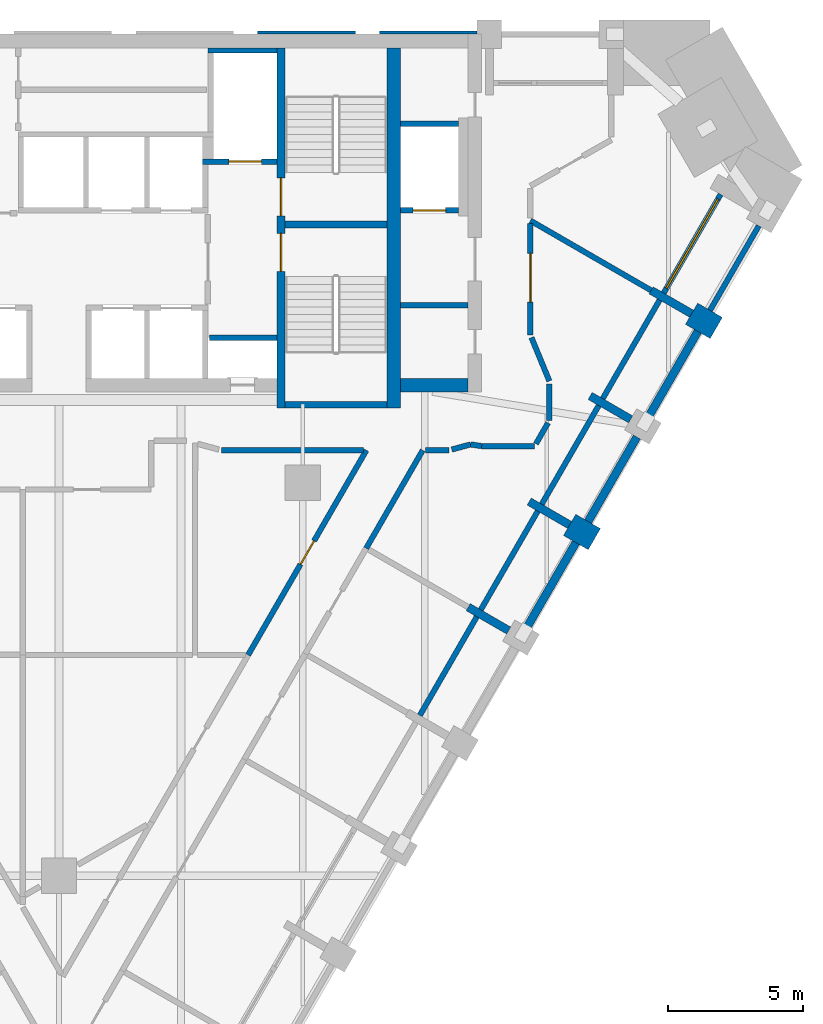
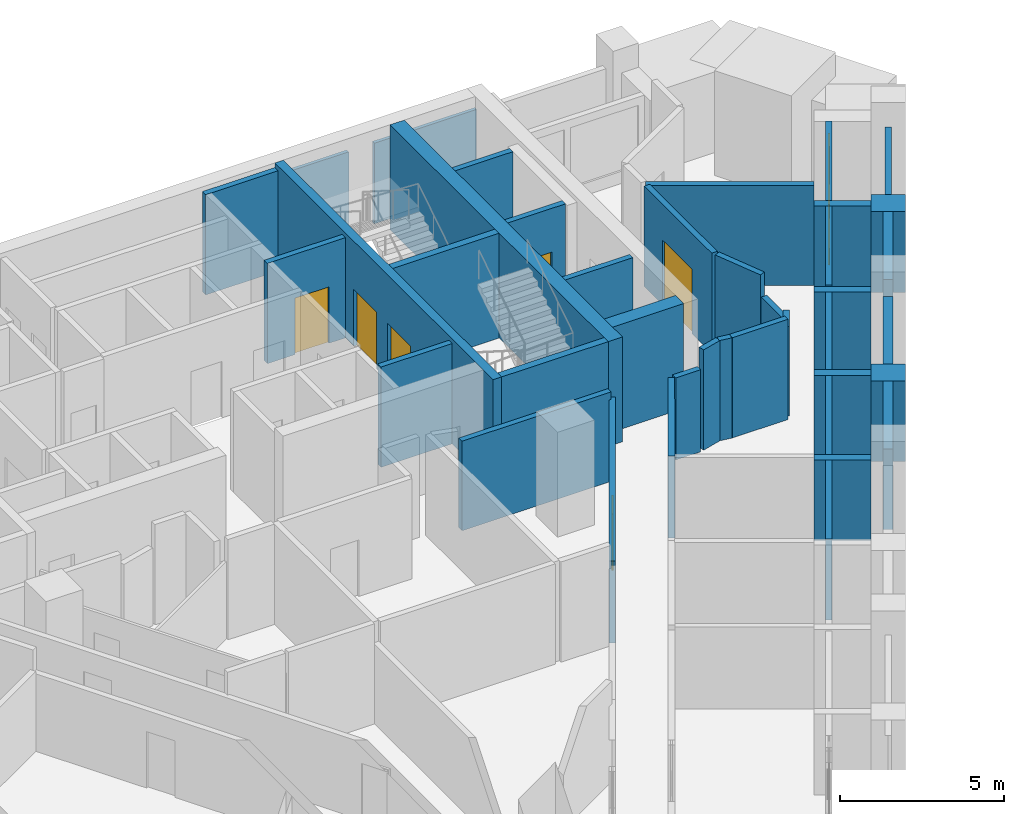
# One storey, part 7 of 10: 40 walls, 6 doors, 1 window, 7 openings.
"""IFC4 building model written with IfcOpenShell, lengths in metres."""

from ifc_helpers import new_model, si_unit, direction, frame, frame_2d, origin, place, context, subcontext, project, spatial, polyline, rectangle, outline, extrude, material, layer, layer_set, type_object, element, fill, save


model = new_model("IFC4")

# Units and contexts
model_context = context("Model", 3, precision=1e-05, world=origin(), true_north=direction((0.0, 1.0)))
body_context = subcontext(model_context, "Body", "Model", "MODEL_VIEW")
ifc_project = project(units=[si_unit("LENGTHUNIT", "METRE"), si_unit("AREAUNIT", "SQUARE_METRE"), si_unit("VOLUMEUNIT", "CUBIC_METRE"), si_unit("PLANEANGLEUNIT", "RADIAN"), si_unit("MASSUNIT", "GRAM", prefix="KILO")], contexts=[model_context])

# Site, building, storey
site_placement = place(None, origin())
site = spatial("IfcSite", under=ifc_project, at=site_placement, CompositionType="ELEMENT")
building_placement = place(site_placement, origin())
building = spatial("IfcBuilding", under=site, at=building_placement, Name="Calabash Gate Tower", CompositionType="ELEMENT")
storey_placement = place(building_placement, frame((0.0, 0.0, 164.10009765625)))
storey = spatial("IfcBuildingStorey", under=building, at=storey_placement, Name="L38", CompositionType="ELEMENT", Elevation=164.10009765625)

# Walls
ifc_material_1 = material(Name="Terracotta brick masonry, exposed face", Category="masonry")
ifc_layer_1 = layer(ifc_material_1, 1.050048828125)
ifc_layer_set_1 = layer_set([ifc_layer_1], Name="Brick end wall 1050")
wall_type_1 = type_object("IfcWallType", Name="Brick end wall 1050", PredefinedType="SOLIDWALL", material=ifc_layer_set_1)
for number, where, z_axis, x_axis, name in (
    (1, (19.7587890625, 0.417724609375, 0.0), (0.0, 0.0, 1.0), (-0.86592997719, 0.500165247297, 0.0), "Brick pier S10 SE4.5"),
    (2, (24.2587890625, 8.2119140625, 0.0), (0.0, 0.0, 1.0), (-0.86592997719, 0.500165247297, 0.0), "Brick pier S10 SE4.7"),
):
    element("IfcWall", number, at=place(storey_placement, frame(where, z_axis=z_axis, x_axis=x_axis)), inside=storey, type_object=wall_type_1, Name=name, PredefinedType="SOLIDWALL", context=body_context, shape_type="SweptSolid", body=[
        extrude(rectangle(XDim=1.050048828125, YDim=0.89990234375, at=frame_2d((0.52490234375, 0.0))), origin(), (0.0, 0.0, 1.0), 3.0),
    ])
ifc_material_2 = material(Name="Terracotta brick masonry, exposed face", Category="masonry")
ifc_layer_2 = layer(ifc_material_2, 0.300048828125)
ifc_layer_set_2 = layer_set([ifc_layer_2], Name="Brick infill panel wall 300")
wall_type_2 = type_object("IfcWallType", Name="Brick infill panel wall 300", PredefinedType="SOLIDWALL", material=ifc_layer_set_2)
wall_1_placement = place(storey_placement, frame((17.279296875, -2.8271484375, 0.0), z_axis=(0.0, 0.0, 1.0), x_axis=(0.500012057535, 0.866018442252, 0.0)))
element("IfcWall", 3, at=wall_1_placement, inside=storey, type_object=wall_type_2, Name="Brick panel S10 SE4.5", PredefinedType="SOLIDWALL", context=body_context, shape_type="SweptSolid", body=[
    extrude(rectangle(XDim=3.60009765625, YDim=0.300048828125, at=frame_2d((1.800048828125, 0.0))), origin(), (0.0, 0.0, 1.0), 3.0),
])
wall_2_placement = place(storey_placement, frame((19.529296875, 1.070068359375, 0.0), z_axis=(0.0, 0.0, 1.0), x_axis=(0.50001992892, 0.866013897511, 0.0)))
element("IfcWall", 4, at=wall_2_placement, inside=storey, type_object=wall_type_2, Name="Brick panel S10 SE4.6", PredefinedType="SOLIDWALL", context=body_context, shape_type="SweptSolid", body=[
    extrude(rectangle(XDim=3.599365234375, YDim=0.300048828125, at=frame_2d((1.7998046875, 0.0))), origin(), (0.0, 0.0, 1.0), 3.0),
])
wall_3_placement = place(storey_placement, frame((21.779296875, 4.967041015625, 0.0), z_axis=(0.0, 0.0, 1.0), x_axis=(0.500012057535, 0.866018442252, 0.0)))
element("IfcWall", 5, at=wall_3_placement, inside=storey, type_object=wall_type_2, Name="Brick panel S10 SE4.7", PredefinedType="SOLIDWALL", context=body_context, shape_type="SweptSolid", body=[
    extrude(rectangle(XDim=3.60009765625, YDim=0.300048828125, at=frame_2d((1.800048828125, 0.0))), origin(), (0.0, 0.0, 1.0), 3.0),
])
ifc_material_3 = material(Name="Terracotta brick masonry, exposed face", Category="masonry")
ifc_layer_3 = layer(ifc_material_3, 0.300048828125)
ifc_layer_set_3 = layer_set([ifc_layer_3], Name="Brick loggia cheek wall 300")
wall_type_3 = type_object("IfcWallType", Name="Brick loggia cheek wall 300", PredefinedType="SOLIDWALL", material=ifc_layer_set_3)
for number, where, z_axis, x_axis, name in (
    (6, (16.599365234375, -2.954345703125, 0.0), (0.0, 0.0, 1.0), (-0.86597814115, 0.500081852351, 0.0), "Loggia cheek S10 SE4.4"),
    (7, (18.849609375, 0.94287109375, 0.0), (0.0, 0.0, 1.0), (-0.866074815912, 0.499914405916, 0.0), "Loggia cheek S10 SE4.5"),
):
    element("IfcWall", number, at=place(storey_placement, frame(where, z_axis=z_axis, x_axis=x_axis)), inside=storey, type_object=wall_type_3, Name=name, PredefinedType="SOLIDWALL", context=body_context, shape_type="SweptSolid", body=[
        extrude(rectangle(XDim=1.724853515625, YDim=0.300048828125, at=frame_2d((0.8623046875, 0.0))), origin(), (0.0, 0.0, 1.0), 3.0),
    ])
wall_4_placement = place(storey_placement, frame((21.099609375, 4.83984375, 0.0), z_axis=(0.0, 0.0, 1.0), x_axis=(-0.866013532718, 0.500020560727, 0.0)))
element("IfcWall", 8, at=wall_4_placement, inside=storey, type_object=wall_type_3, Name="Loggia cheek S10 SE4.6", PredefinedType="SOLIDWALL", context=body_context, shape_type="SweptSolid", body=[
    extrude(rectangle(XDim=1.72509765625, YDim=0.300048828125, at=frame_2d((0.862548828125, 0.0))), origin(), (0.0, 0.0, 1.0), 2.949951171875),
])
wall_5_placement = place(storey_placement, frame((23.349609375, 8.737060546875, 0.0), z_axis=(0.0, 0.0, 1.0), x_axis=(-0.866013532718, 0.500020560727, 0.0)))
element("IfcWall", 9, at=wall_5_placement, inside=storey, type_object=wall_type_3, Name="Loggia cheek S10 SE4.7", PredefinedType="SOLIDWALL", context=body_context, shape_type="SweptSolid", body=[
    extrude(rectangle(XDim=1.72509765625, YDim=0.300048828125, at=frame_2d((0.862548828125, 0.0))), origin(), (0.0, 0.0, 1.0), 3.0),
])
ifc_material_4 = material(Name="Gypsum board on steel studs, mineral wool", Category="steel")
ifc_layer_4 = layer(ifc_material_4, 0.199951171875)
ifc_layer_set_4 = layer_set([ifc_layer_4], Name="Core partition 200 gypsum board")
wall_type_4 = type_object("IfcWallType", Name="Core partition 200 gypsum board", PredefinedType="PARTITIONING", material=ifc_layer_set_4)
wall_6_placement = place(storey_placement, frame((12.60009765625, 9.052490234375, 0.0), z_axis=(0.0, 0.0, 1.0), x_axis=(1.0, 0.0, 0.0)))
element("IfcWall", 10, at=wall_6_placement, inside=storey, type_object=wall_type_4, Name="Core partition", PredefinedType="PARTITIONING", context=body_context, shape_type="SweptSolid", body=[
    extrude(rectangle(XDim=2.5, YDim=0.199951171875, at=frame_2d((1.25, 0.0))), origin(), (0.0, 0.0, 1.0), 3.72998046875),
])
ifc_material_5 = material(Name="Concrete C70/85", Category="concrete")
ifc_layer_5 = layer(ifc_material_5, 0.25)
ifc_layer_set_5 = layer_set([ifc_layer_5], Name="Core wall 250 Concrete C70/85")
wall_type_5 = type_object("IfcWallType", Name="Core wall 250 Concrete C70/85", PredefinedType="SHEAR", material=ifc_layer_set_5)
for number, where, z_axis, x_axis, name in (
    (11, (8.35009765625, 12.027587890625, 0.0), (0.0, 0.0, 1.0), (1.0, 0.0, 0.0), "Core wall Z3-MIDE L38"),
    (12, (8.35009765625, 5.377685546875, 0.0), (0.0, 0.0, 1.0), (1.0, 0.0, 0.0), "Core wall Z3-SSE L38"),
):
    element("IfcWall", number, at=place(storey_placement, frame(where, z_axis=z_axis, x_axis=x_axis)), inside=storey, type_object=wall_type_5, Name=name, PredefinedType="SHEAR", context=body_context, shape_type="SweptSolid", body=[
        extrude(rectangle(XDim=3.75, YDim=0.25, at=frame_2d((1.875, 0.0))), origin(), (0.0, 0.0, 1.0), 3.89990234375),
    ])

# Wall, openings, doors
ifc_material_6 = material(Name="Concrete C70/85", Category="concrete")
ifc_layer_6 = layer(ifc_material_6, 0.300048828125)
ifc_layer_set_6 = layer_set([ifc_layer_6], Name="Core wall 300 Concrete C70/85")
wall_type_6 = type_object("IfcWallType", Name="Core wall 300 Concrete C70/85", PredefinedType="SHEAR", material=ifc_layer_set_6)
wall_7_placement = place(storey_placement, frame((8.199951171875, 5.252685546875, 0.0), z_axis=(0.0, 0.0, 1.0), x_axis=(0.0, 1.0, 0.0)))
wall_7 = element("IfcWall", 13, at=wall_7_placement, inside=storey, type_object=wall_type_6, Name="Core wall Z3-PARTE L38", PredefinedType="SHEAR", context=body_context, shape_type="SweptSolid", body=[
    extrude(rectangle(XDim=13.2998046875, YDim=0.300048828125, at=frame_2d((6.64990234375, 0.0))), origin(), (0.0, 0.0, 1.0), 3.89990234375),
])
opening_1_placement = place(wall_7_placement, frame((7.10009765625, 0.0, 0.0)))
opening_1 = element("IfcOpeningElement", 14, at=opening_1_placement, cuts=wall_7, Name="Opening O2-017", PredefinedType="OPENING", context=body_context, shape_type="SweptSolid", body=[
    extrude(rectangle(XDim=1.39990234375, YDim=2.10009765625, at=frame_2d((0.699951171875, 1.050048828125))), frame((0.0, 0.159912109375, 0.0), z_axis=(0.0, -1.0, 0.0), x_axis=(1.0, 0.0, 0.0)), (0.0, 0.0, 1.0), 0.320068359375),
])
opening_2_placement = place(wall_7_placement, frame((5.050048828125, 0.0, 0.0)))
opening_2 = element("IfcOpeningElement", 15, at=opening_2_placement, cuts=wall_7, Name="Opening O2-018", PredefinedType="OPENING", context=body_context, shape_type="SweptSolid", body=[
    extrude(rectangle(XDim=1.39990234375, YDim=2.10009765625, at=frame_2d((0.699951171875, 1.050048828125))), frame((0.0, 0.159912109375, 0.0), z_axis=(0.0, -1.0, 0.0), x_axis=(1.0, 0.0, 0.0)), (0.0, 0.0, 1.0), 0.320068359375),
])
ifc_material_7 = material(Name="Steel fire door set with fire-resisting glazing", Category="steel")
door_type_1 = type_object("IfcDoorType", Name="Fire door D05 1400x2100 FD90", OperationType="NOTDEFINED", PredefinedType="DOOR", material=ifc_material_7)
door_1_placement = place(opening_1_placement, origin())
door_1 = element("IfcDoor", 16, at=door_1_placement, inside=storey, type_object=door_type_1, Name="Exit stair door ST3", OperationType="SINGLE_SWING_RIGHT", OverallHeight=2.10009765625, OverallWidth=1.39990234375, PredefinedType="DOOR", context=body_context, shape_type="SweptSolid", body=[
    extrude(rectangle(XDim=1.39990234375, YDim=2.10009765625, at=frame_2d((0.699951171875, 1.050048828125))), frame((0.0, 0.02490234375, 0.0), z_axis=(0.0, -1.0, 0.0), x_axis=(1.0, 0.0, 0.0)), (0.0, 0.0, 1.0), 0.050048828125),
])
fill(opening_1, door_1)
door_2_placement = place(opening_2_placement, origin())
door_2 = element("IfcDoor", 17, at=door_2_placement, inside=storey, type_object=door_type_1, Name="Exit stair door ST4", OperationType="SINGLE_SWING_LEFT", OverallHeight=2.10009765625, OverallWidth=1.39990234375, PredefinedType="DOOR", context=body_context, shape_type="SweptSolid", body=[
    extrude(rectangle(XDim=1.39990234375, YDim=2.10009765625, at=frame_2d((0.699951171875, 1.050048828125))), frame((0.0, 0.02490234375, 0.0), z_axis=(0.0, -1.0, 0.0), x_axis=(1.0, 0.0, 0.0)), (0.0, 0.0, 1.0), 0.050048828125),
])
fill(opening_2, door_2)

# Walls
ifc_material_8 = material(Name="Concrete C70/85", Category="concrete")
ifc_layer_7 = layer(ifc_material_8, 0.5)
ifc_layer_set_7 = layer_set([ifc_layer_7], Name="Core wall 500 Concrete C70/85")
wall_type_7 = type_object("IfcWallType", Name="Core wall 500 Concrete C70/85", PredefinedType="SHEAR", material=ifc_layer_set_7)
wall_8_placement = place(storey_placement, frame((12.35009765625, 5.252685546875, 0.0), z_axis=(0.0, 0.0, 1.0), x_axis=(0.0, 1.0, 0.0)))
element("IfcWall", 18, at=wall_8_placement, inside=storey, type_object=wall_type_7, Name="Core wall Z3-COLE L38", PredefinedType="SHEAR", context=body_context, shape_type="SweptSolid", body=[
    extrude(rectangle(XDim=13.2998046875, YDim=0.5, at=frame_2d((6.64990234375, 0.0))), origin(), (0.0, 0.0, 1.0), 3.89990234375),
])
wall_9_placement = place(storey_placement, frame((12.60009765625, 6.1025390625, 0.0), z_axis=(0.0, 0.0, 1.0), x_axis=(1.0, 0.0, 0.0)))
element("IfcWall", 19, at=wall_9_placement, inside=storey, type_object=wall_type_7, Name="Core wall Z3-SE L38", PredefinedType="SHEAR", context=body_context, shape_type="SweptSolid", body=[
    extrude(rectangle(XDim=2.5, YDim=0.5, at=frame_2d((1.25, 0.0))), origin(), (0.0, 0.0, 1.0), 3.89990234375),
])

# Wall, opening, door
ifc_material_9 = material(Name="Gypsum board on steel studs, mineral wool", Category="steel")
ifc_layer_8 = layer(ifc_material_9, 0.199951171875)
ifc_layer_set_8 = layer_set([ifc_layer_8], Name="Partition 200 gypsum board EI 60")
wall_type_8 = type_object("IfcWallType", Name="Partition 200 gypsum board EI 60", PredefinedType="PARTITIONING", material=ifc_layer_set_8)
wall_10_placement = place(storey_placement, frame((6.983642578125, -3.85546875, 0.0), z_axis=(0.0, 0.0, 1.0), x_axis=(0.500195547237, 0.865912475095, 0.0)))
wall_10 = element("IfcWall", 20, at=wall_10_placement, inside=storey, type_object=wall_type_8, Name="Partition", PredefinedType="PARTITIONING", context=body_context, shape_type="SweptSolid", body=[
    extrude(rectangle(XDim=8.72509765625, YDim=0.199951171875, at=frame_2d((4.362548828125, 0.0))), origin(), (0.0, 0.0, 1.0), 3.0517578125),
])
opening_3_placement = place(wall_10_placement, frame((3.861328125, 0.0, 0.0)))
opening_3 = element("IfcOpeningElement", 21, at=opening_3_placement, cuts=wall_10, Name="Opening 36-38-007", PredefinedType="OPENING", context=body_context, shape_type="SweptSolid", body=[
    extrude(rectangle(XDim=1.0, YDim=2.10009765625, at=frame_2d((0.5, 1.050048828125))), frame((0.0, 0.10986328125, 0.0), z_axis=(0.0, -1.0, 0.0), x_axis=(1.0, 0.0, 0.0)), (0.0, 0.0, 1.0), 0.219970703125),
])
ifc_material_10 = material(Name="Steel fire door set with fire-resisting glazing", Category="steel")
door_type_2 = type_object("IfcDoorType", Name="LD2 Meeting room door 1000x2100", OperationType="NOTDEFINED", PredefinedType="DOOR", material=ifc_material_10)
door_3_placement = place(opening_3_placement, origin())
door_3 = element("IfcDoor", 22, at=door_3_placement, inside=storey, type_object=door_type_2, Name="Meeting room door", OperationType="SINGLE_SWING_LEFT", OverallHeight=2.10009765625, OverallWidth=1.0, PredefinedType="DOOR", context=body_context, shape_type="SweptSolid", body=[
    extrude(rectangle(XDim=1.0, YDim=2.10009765625, at=frame_2d((0.5, 1.050048828125))), frame((0.0, 0.02490234375, 0.0), z_axis=(0.0, -1.0, 0.0), x_axis=(1.0, 0.0, 0.0)), (0.0, 0.0, 1.0), 0.050048828125),
])
fill(opening_3, door_3)

# Walls
wall_11_placement = place(storey_placement, frame((6.0, 3.69970703125, 0.0), z_axis=(0.0, 0.0, 1.0), x_axis=(1.0, 0.0, 0.0)))
element("IfcWall", 23, at=wall_11_placement, inside=storey, type_object=wall_type_8, Name="Partition", PredefinedType="PARTITIONING", context=body_context, shape_type="SweptSolid", body=[
    extrude(rectangle(XDim=5.247802734375, YDim=0.199951171875, at=frame_2d((2.6240234375, 0.0))), origin(), (0.0, 0.0, 1.0), 3.33154296875),
])
wall_12_placement = place(storey_placement, frame((11.340576171875, 0.08251953125, 0.0), z_axis=(0.0, 0.0, 1.0), x_axis=(0.499673523279, 0.866213813174, 0.0)))
element("IfcWall", 24, at=wall_12_placement, inside=storey, type_object=wall_type_8, Name="Partition", PredefinedType="PARTITIONING", context=body_context, shape_type="SweptSolid", body=[
    extrude(rectangle(XDim=4.175537109375, YDim=0.199951171875, at=frame_2d((2.087890625, 0.0))), origin(), (0.0, 0.0, 1.0), 3.0517578125),
])
wall_13_placement = place(storey_placement, frame((13.52685546875, 3.699462890625, 0.0), z_axis=(0.0, 0.0, 1.0), x_axis=(1.0, 0.0, 0.0)))
element("IfcWall", 25, at=wall_13_placement, inside=storey, type_object=wall_type_8, Name="Partition", PredefinedType="PARTITIONING", context=body_context, shape_type="SweptSolid", body=[
    extrude(rectangle(XDim=0.873046875, YDim=0.199951171875, at=frame_2d((0.4365234375, 0.0))), origin(), (0.0, 0.0, 1.0), 3.0517578125),
])
wall_14_placement = place(storey_placement, frame((15.193359375, 3.91455078125, 0.0), z_axis=(0.0, 0.0, 1.0), x_axis=(0.988399116328, -0.15187885581, 0.0)))
element("IfcWall", 26, at=wall_14_placement, inside=storey, type_object=wall_type_8, Name="Partition", PredefinedType="PARTITIONING", context=body_context, shape_type="SweptSolid", body=[
    extrude(rectangle(XDim=0.41162109375, YDim=0.199951171875, at=frame_2d((0.205810546875, 0.0))), origin(), (0.0, 0.0, 1.0), 3.72998046875),
])
wall_15_placement = place(storey_placement, frame((15.60009765625, 3.85205078125, 0.0), z_axis=(0.0, 0.0, 1.0), x_axis=(1.0, 0.0, 0.0)))
element("IfcWall", 27, at=wall_15_placement, inside=storey, type_object=wall_type_8, Name="Partition", PredefinedType="PARTITIONING", context=body_context, shape_type="SweptSolid", body=[
    extrude(rectangle(XDim=1.956298828125, YDim=0.199951171875, at=frame_2d((0.97802734375, 0.0))), origin(), (0.0, 0.0, 1.0), 3.72998046875),
])
wall_16_placement = place(storey_placement, frame((14.49658203125, 3.7255859375, 0.0), z_axis=(0.0, 0.0, 1.0), x_axis=(0.965137431954, 0.26174364833, 0.0)))
element("IfcWall", 28, at=wall_16_placement, inside=storey, type_object=wall_type_8, Name="Partition", PredefinedType="PARTITIONING", context=body_context, shape_type="SweptSolid", body=[
    extrude(rectangle(XDim=0.721923828125, YDim=0.199951171875, at=frame_2d((0.36083984375, 0.0))), origin(), (0.0, 0.0, 1.0), 3.72998046875),
])
wall_17_placement = place(storey_placement, frame((17.606201171875, 3.938720703125, 0.0), z_axis=(0.0, 0.0, 1.0), x_axis=(0.500071473339, 0.8659841347, 0.0)))
element("IfcWall", 29, at=wall_17_placement, inside=storey, type_object=wall_type_8, Name="Partition", PredefinedType="PARTITIONING", context=body_context, shape_type="SweptSolid", body=[
    extrude(rectangle(XDim=0.887939453125, YDim=0.199951171875, at=frame_2d((0.44384765625, 0.0))), origin(), (0.0, 0.0, 1.0), 3.33154296875),
])
wall_18_placement = place(storey_placement, frame((18.1005859375, 4.794189453125, 0.0), z_axis=(0.0, 0.0, 1.0), x_axis=(0.0, 1.0, 0.0)))
element("IfcWall", 30, at=wall_18_placement, inside=storey, type_object=wall_type_8, Name="Partition", PredefinedType="PARTITIONING", context=body_context, shape_type="SweptSolid", body=[
    extrude(rectangle(XDim=1.3583984375, YDim=0.199951171875, at=frame_2d((0.67919921875, 0.0))), origin(), (0.0, 0.0, 1.0), 2.949951171875),
])
wall_19_placement = place(storey_placement, frame((17.438720703125, 7.860107421875, 0.0), z_axis=(0.0, 0.0, 1.0), x_axis=(0.380742741509, -0.924681007044, 0.0)))
element("IfcWall", 31, at=wall_19_placement, inside=storey, type_object=wall_type_8, Name="Partition", PredefinedType="PARTITIONING", context=body_context, shape_type="SweptSolid", body=[
    extrude(rectangle(XDim=1.73828125, YDim=0.199951171875, at=frame_2d((0.869140625, 0.0))), origin(), (0.0, 0.0, 1.0), 3.72998046875),
])

# Wall, opening, door
wall_20_placement = place(storey_placement, frame((17.400390625, 7.95263671875, 0.0), z_axis=(0.0, 0.0, 1.0), x_axis=(0.000414986922, 0.999999913893, 0.0)))
wall_20 = element("IfcWall", 32, at=wall_20_placement, inside=storey, type_object=wall_type_8, Name="Partition", PredefinedType="PARTITIONING", context=body_context, shape_type="SweptSolid", body=[
    extrude(rectangle(XDim=4.1181640625, YDim=0.199951171875, at=frame_2d((2.05908203125, 0.0))), origin(), (0.0, 0.0, 1.0), 3.72998046875),
])
opening_4_placement = place(wall_20_placement, frame((1.20947265625, 0.0, 0.0)))
opening_4 = element("IfcOpeningElement", 33, at=opening_4_placement, cuts=wall_20, Name="Opening 36-38-013", PredefinedType="OPENING", context=body_context, shape_type="SweptSolid", body=[
    extrude(rectangle(XDim=1.800048828125, YDim=2.39990234375, at=frame_2d((0.89990234375, 1.199951171875))), frame((0.0, 0.10986328125, 0.0), z_axis=(0.0, -1.0, 0.0), x_axis=(1.0, 0.0, 0.0)), (0.0, 0.0, 1.0), 0.219970703125),
])
ifc_material_11 = material(Name="Steel fire door set with fire-resisting glazing", Category="steel")
door_type_3 = type_object("IfcDoorType", Name="TD1 Tenancy entrance double door 1800x2400", OperationType="NOTDEFINED", PredefinedType="DOOR", material=ifc_material_11)
door_4_placement = place(opening_4_placement, origin())
door_4 = element("IfcDoor", 34, at=door_4_placement, inside=storey, type_object=door_type_3, Name="Tenancy entrance double door", OperationType="DOUBLE_DOOR_SINGLE_SWING", OverallHeight=2.39990234375, OverallWidth=1.800048828125, PredefinedType="DOOR", context=body_context, shape_type="SweptSolid", body=[
    extrude(rectangle(XDim=1.800048828125, YDim=2.39990234375, at=frame_2d((0.89990234375, 1.199951171875))), frame((0.0, 0.02490234375, 0.0), z_axis=(0.0, -1.0, 0.0), x_axis=(1.0, 0.0, 0.0)), (0.0, 0.0, 1.0), 0.050048828125),
])
fill(opening_4, door_4)

# Walls
wall_21_placement = place(storey_placement, frame((17.400634765625, 12.173583984375, 0.0), z_axis=(0.0, 0.0, 1.0), x_axis=(0.865871011045, -0.500267320772, 0.0)))
element("IfcWall", 35, at=wall_21_placement, inside=storey, type_object=wall_type_8, Name="Partition", PredefinedType="PARTITIONING", context=body_context, shape_type="SweptSolid", body=[
    extrude(rectangle(XDim=5.145263671875, YDim=0.199951171875, at=frame_2d((2.57275390625, 0.0))), origin(), (0.0, 0.0, 1.0), 3.72998046875),
])
ifc_material_12 = material(Name="Concrete C40/50", Category="concrete")
ifc_layer_9 = layer(ifc_material_12, 0.199951171875)
ifc_layer_set_9 = layer_set([ifc_layer_9], Name="Shaft wall 200 Concrete C40/50")
wall_type_9 = type_object("IfcWallType", Name="Shaft wall 200 Concrete C40/50", PredefinedType="SOLIDWALL", material=ifc_layer_set_9)
wall_22_placement = place(storey_placement, frame((5.550048828125, 7.8525390625, 0.0), z_axis=(0.0, 0.0, 1.0), x_axis=(1.0, 0.0, 0.0)))
element("IfcWall", 36, at=wall_22_placement, inside=storey, type_object=wall_type_9, Name="Shaft wall", PredefinedType="SOLIDWALL", context=body_context, shape_type="SweptSolid", body=[
    extrude(rectangle(XDim=2.5, YDim=0.199951171875, at=frame_2d((1.25, 0.0))), origin(), (0.0, 0.0, 1.0), 3.72998046875),
])

# Wall, opening, door
wall_23_placement = place(storey_placement, frame((12.60009765625, 12.552490234375, 0.0), z_axis=(0.0, 0.0, 1.0), x_axis=(1.0, 0.0, 0.0)))
wall_23 = element("IfcWall", 37, at=wall_23_placement, inside=storey, type_object=wall_type_9, Name="Shaft wall", PredefinedType="SOLIDWALL", context=body_context, shape_type="SweptSolid", body=[
    extrude(rectangle(XDim=2.14990234375, YDim=0.199951171875, at=frame_2d((1.074951171875, 0.0))), origin(), (0.0, 0.0, 1.0), 3.72998046875),
])
opening_5_placement = place(wall_23_placement, frame((0.47509765625, 0.0, 0.0)))
opening_5 = element("IfcOpeningElement", 38, at=opening_5_placement, cuts=wall_23, Name="Opening LD-SL1", PredefinedType="OPENING", context=body_context, shape_type="SweptSolid", body=[
    extrude(rectangle(XDim=1.199951171875, YDim=2.10009765625, at=frame_2d((0.60009765625, 1.050048828125))), frame((0.0, 0.10986328125, 0.0), z_axis=(0.0, -1.0, 0.0), x_axis=(1.0, 0.0, 0.0)), (0.0, 0.0, 1.0), 0.219970703125),
])
ifc_material_13 = material(Name="Stainless steel sliding door leaves", Category="steel")
door_type_4 = type_object("IfcDoorType", Name="Lift landing door LS3 1200x2100 FD90", OperationType="DOUBLE_DOOR_SLIDING", PredefinedType="DOOR", material=ifc_material_13)
door_5_placement = place(opening_5_placement, origin())
door_5 = element("IfcDoor", 39, at=door_5_placement, inside=storey, type_object=door_type_4, Name="Lift landing door SL1", OperationType="DOUBLE_DOOR_SLIDING", OverallHeight=2.10009765625, OverallWidth=1.199951171875, PredefinedType="DOOR", context=body_context, shape_type="SweptSolid", body=[
    extrude(rectangle(XDim=1.199951171875, YDim=2.10009765625, at=frame_2d((0.60009765625, 1.050048828125))), frame((0.0, 0.02490234375, 0.0), z_axis=(0.0, -1.0, 0.0), x_axis=(1.0, 0.0, 0.0)), (0.0, 0.0, 1.0), 0.050048828125),
])
fill(opening_5, door_5)

wall_24_placement = place(storey_placement, frame((5.300048828125, 14.3525390625, 0.0), z_axis=(0.0, 0.0, 1.0), x_axis=(1.0, 0.0, 0.0)))
wall_24 = element("IfcWall", 40, at=wall_24_placement, inside=storey, type_object=wall_type_9, Name="Shaft wall", PredefinedType="SOLIDWALL", context=body_context, shape_type="SweptSolid", body=[
    extrude(rectangle(XDim=2.75, YDim=0.199951171875, at=frame_2d((1.375, 0.0))), origin(), (0.0, 0.0, 1.0), 3.72998046875),
])
opening_6_placement = place(wall_24_placement, frame((0.97509765625, 0.0, 0.0)))
opening_6 = element("IfcOpeningElement", 41, at=opening_6_placement, cuts=wall_24, Name="Opening LD-FF2", PredefinedType="OPENING", context=body_context, shape_type="SweptSolid", body=[
    extrude(rectangle(XDim=1.199951171875, YDim=2.10009765625, at=frame_2d((0.60009765625, 1.050048828125))), frame((0.0, 0.10986328125, 0.0), z_axis=(0.0, -1.0, 0.0), x_axis=(1.0, 0.0, 0.0)), (0.0, 0.0, 1.0), 0.219970703125),
])
door_6_placement = place(opening_6_placement, origin())
door_6 = element("IfcDoor", 42, at=door_6_placement, inside=storey, type_object=door_type_4, Name="Lift landing door FF2", OperationType="DOUBLE_DOOR_SLIDING", OverallHeight=2.10009765625, OverallWidth=1.199951171875, PredefinedType="DOOR", context=body_context, shape_type="SweptSolid", body=[
    extrude(rectangle(XDim=1.199951171875, YDim=2.10009765625, at=frame_2d((0.60009765625, 1.050048828125))), frame((0.0, 0.02490234375, 0.0), z_axis=(0.0, -1.0, 0.0), x_axis=(1.0, 0.0, 0.0)), (0.0, 0.0, 1.0), 0.050048828125),
])
fill(opening_6, door_6)

# Walls
wall_25_placement = place(storey_placement, frame((12.60009765625, 15.752685546875, 0.0), z_axis=(0.0, 0.0, 1.0), x_axis=(1.0, 0.0, 0.0)))
element("IfcWall", 43, at=wall_25_placement, inside=storey, type_object=wall_type_9, Name="Shaft wall", PredefinedType="SOLIDWALL", context=body_context, shape_type="SweptSolid", body=[
    extrude(rectangle(XDim=2.14990234375, YDim=0.199951171875, at=frame_2d((1.074951171875, 0.0))), origin(), (0.0, 0.0, 1.0), 3.72998046875),
])
wall_26_placement = place(storey_placement, frame((5.5, 18.45263671875, 0.0), z_axis=(0.0, 0.0, 1.0), x_axis=(1.0, 0.0, 0.0)))
element("IfcWall", 44, at=wall_26_placement, inside=storey, type_object=wall_type_9, Name="Shaft wall", PredefinedType="SOLIDWALL", context=body_context, shape_type="SweptSolid", body=[
    extrude(rectangle(XDim=2.550048828125, YDim=0.199951171875, at=frame_2d((1.27490234375, 0.0))), origin(), (0.0, 0.0, 1.0), 3.72998046875),
])
ifc_material_14 = material(Name="Terracotta brick masonry, perforated", Category="masonry")
ifc_layer_10 = layer(ifc_material_14, 0.1201171875)
ifc_layer_set_10 = layer_set([ifc_layer_10], Name="Terracotta jaali cladding B 120")
wall_type_10 = type_object("IfcWallType", Name="Terracotta jaali cladding B 120", PredefinedType="SOLIDWALL", material=ifc_layer_set_10)
wall_27_placement = place(storey_placement, origin())
element("IfcWall", 45, at=wall_27_placement, inside=storey, type_object=wall_type_10, Name="Jaali cladding S10 N6.3", PredefinedType="SOLIDWALL", context=body_context, shape_type="SweptSolid", body=[
    extrude(outline(polyline([(7.33740234375, 19.172607421875), (7.33740234375, 19.052490234375), (10.9375, 19.052490234375), (10.9375, 19.172607421875), (7.33740234375, 19.172607421875)])), origin(), (0.0, 0.0, 1.0), 3.0),
])
ifc_material_15 = material(Name="Terracotta brick masonry, perforated", Category="masonry")
ifc_layer_11 = layer(ifc_material_15, 0.199951171875)
ifc_layer_set_11 = layer_set([ifc_layer_11], Name="Terracotta jaali screen B")
wall_type_11 = type_object("IfcWallType", Name="Terracotta jaali screen B", PredefinedType="SOLIDWALL", material=ifc_layer_set_11)
wall_28_placement = place(storey_placement, frame((24.029296875, 8.8642578125, 0.0), z_axis=(0.0, 0.0, 1.0), x_axis=(0.500012057535, 0.866018442252, 0.0)))
element("IfcWall", 46, at=wall_28_placement, inside=storey, type_object=wall_type_11, Name="SCREEN B S10 SE4.8", PredefinedType="SOLIDWALL", context=body_context, shape_type="SweptSolid", body=[
    extrude(rectangle(XDim=3.60009765625, YDim=0.199951171875, at=frame_2d((1.800048828125, 0.0))), origin(), (0.0, 0.0, 1.0), 3.0),
])
ifc_material_16 = material(Name="Terracotta louvre blades in an aluminium frame", Category="masonry")
ifc_layer_12 = layer(ifc_material_16, 0.1201171875)
ifc_layer_set_12 = layer_set([ifc_layer_12], Name="Terracotta vent louvre cladding 120")
wall_type_12 = type_object("IfcWallType", Name="Terracotta vent louvre cladding 120", PredefinedType="ELEMENTEDWALL", material=ifc_layer_set_12)
wall_29_placement = place(storey_placement, origin())
element("IfcWall", 47, at=wall_29_placement, inside=storey, type_object=wall_type_12, Name="Vent louvre cladding S10 N6.2", PredefinedType="ELEMENTEDWALL", context=body_context, shape_type="SweptSolid", body=[
    extrude(outline(polyline([(11.83740234375, 19.172607421875), (11.83740234375, 19.052490234375), (15.43701171875, 19.052490234375), (15.43701171875, 19.172607421875), (11.83740234375, 19.172607421875)])), origin(), (0.0, 0.0, 1.0), 3.0),
])
ifc_material_17 = material(Name="Aluminium framed window wall with insulated spandrel", Category="aluminium")
ifc_layer_13 = layer(ifc_material_17, 0.199951171875)
ifc_layer_set_13 = layer_set([ifc_layer_13], Name="Window wall 200")
wall_type_13 = type_object("IfcWallType", Name="Window wall 200", PredefinedType="ELEMENTEDWALL", material=ifc_layer_set_13)
wall_30_placement = place(storey_placement, frame((13.3203125, -6.083984375, 0.0), z_axis=(0.0, 0.0, 1.0), x_axis=(0.500027713859, 0.866009402589, 0.0)))
element("IfcWall", 48, at=wall_30_placement, inside=storey, type_object=wall_type_13, Name="Window wall S10 SE4.4", PredefinedType="ELEMENTEDWALL", context=body_context, shape_type="SweptSolid", body=[
    extrude(rectangle(XDim=4.199951171875, YDim=0.199951171875, at=frame_2d((2.10009765625, 0.0))), origin(), (0.0, 0.0, 1.0), 3.0),
])
wall_31_placement = place(storey_placement, frame((15.5703125, -2.18701171875, 0.0), z_axis=(0.0, 0.0, 1.0), x_axis=(0.500002543286, 0.866023935413, 0.0)))
element("IfcWall", 49, at=wall_31_placement, inside=storey, type_object=wall_type_13, Name="Window wall S10 SE4.5", PredefinedType="ELEMENTEDWALL", context=body_context, shape_type="SweptSolid", body=[
    extrude(rectangle(XDim=4.2001953125, YDim=0.199951171875, at=frame_2d((2.10009765625, 0.0))), origin(), (0.0, 0.0, 1.0), 3.0),
])
wall_32_placement = place(storey_placement, frame((17.8203125, 1.710205078125, 0.0), z_axis=(0.0, 0.0, 1.0), x_axis=(0.500027713859, 0.866009402589, 0.0)))
element("IfcWall", 50, at=wall_32_placement, inside=storey, type_object=wall_type_13, Name="Window wall S10 SE4.6", PredefinedType="ELEMENTEDWALL", context=body_context, shape_type="SweptSolid", body=[
    extrude(rectangle(XDim=4.199951171875, YDim=0.199951171875, at=frame_2d((2.10009765625, 0.0))), origin(), (0.0, 0.0, 1.0), 2.949951171875),
])
wall_33_placement = place(storey_placement, frame((20.0703125, 5.607177734375, 0.0), z_axis=(0.0, 0.0, 1.0), x_axis=(0.500002543286, 0.866023935413, 0.0)))
element("IfcWall", 51, at=wall_33_placement, inside=storey, type_object=wall_type_13, Name="Window wall S10 SE4.7", PredefinedType="ELEMENTEDWALL", context=body_context, shape_type="SweptSolid", body=[
    extrude(rectangle(XDim=4.2001953125, YDim=0.199951171875, at=frame_2d((2.10009765625, 0.0))), origin(), (0.0, 0.0, 1.0), 3.0),
])

# Wall, opening, window
wall_34_placement = place(storey_placement, frame((22.3203125, 9.50439453125, 0.0), z_axis=(0.0, 0.0, 1.0), x_axis=(0.500027713859, 0.866009402589, 0.0)))
wall_34 = element("IfcWall", 52, at=wall_34_placement, inside=storey, type_object=wall_type_13, Name="Window wall S10 SE4.8", PredefinedType="ELEMENTEDWALL", context=body_context, shape_type="SweptSolid", body=[
    extrude(rectangle(XDim=4.199951171875, YDim=0.199951171875, at=frame_2d((2.10009765625, 0.0))), origin(), (0.0, 0.0, 1.0), 3.0),
])
opening_7_placement = place(wall_34_placement, frame((0.199951171875, 0.0, 0.449951171875)))
opening_7 = element("IfcOpeningElement", 53, at=opening_7_placement, cuts=wall_34, Name="Opening OW2", PredefinedType="OPENING", context=body_context, shape_type="SweptSolid", body=[
    extrude(rectangle(XDim=3.800048828125, YDim=2.25, at=frame_2d((1.89990234375, 1.125))), frame((0.0, 0.10986328125, 0.0), z_axis=(0.0, -1.0, 0.0), x_axis=(1.0, 0.0, 0.0)), (0.0, 0.0, 1.0), 0.219970703125),
])
ifc_material_18 = material(Name="Anodised aluminium frame, bronze finish, impact-rated laminated clear glazing", Category="aluminium")
window_type = type_object("IfcWindowType", Name="Window OW2 3800x2250", PartitioningType="TRIPLE_PANEL_VERTICAL", PredefinedType="WINDOW", material=ifc_material_18)
window_placement = place(opening_7_placement, origin())
window = element("IfcWindow", 54, at=window_placement, inside=storey, type_object=window_type, Name="Window OW2 S10 SE4.8", OverallHeight=2.25, OverallWidth=3.800048828125, PartitioningType="SINGLE_PANEL", PredefinedType="WINDOW", context=body_context, shape_type="SweptSolid", body=[
    extrude(rectangle(XDim=3.800048828125, YDim=2.25, at=frame_2d((1.89990234375, 1.125))), frame((0.0, 0.030029296875, 0.0), z_axis=(0.0, -1.0, 0.0), x_axis=(1.0, 0.0, 0.0)), (0.0, 0.0, 1.0), 0.06005859375),
])
fill(opening_7, window)

save(model, "model.ifc")
